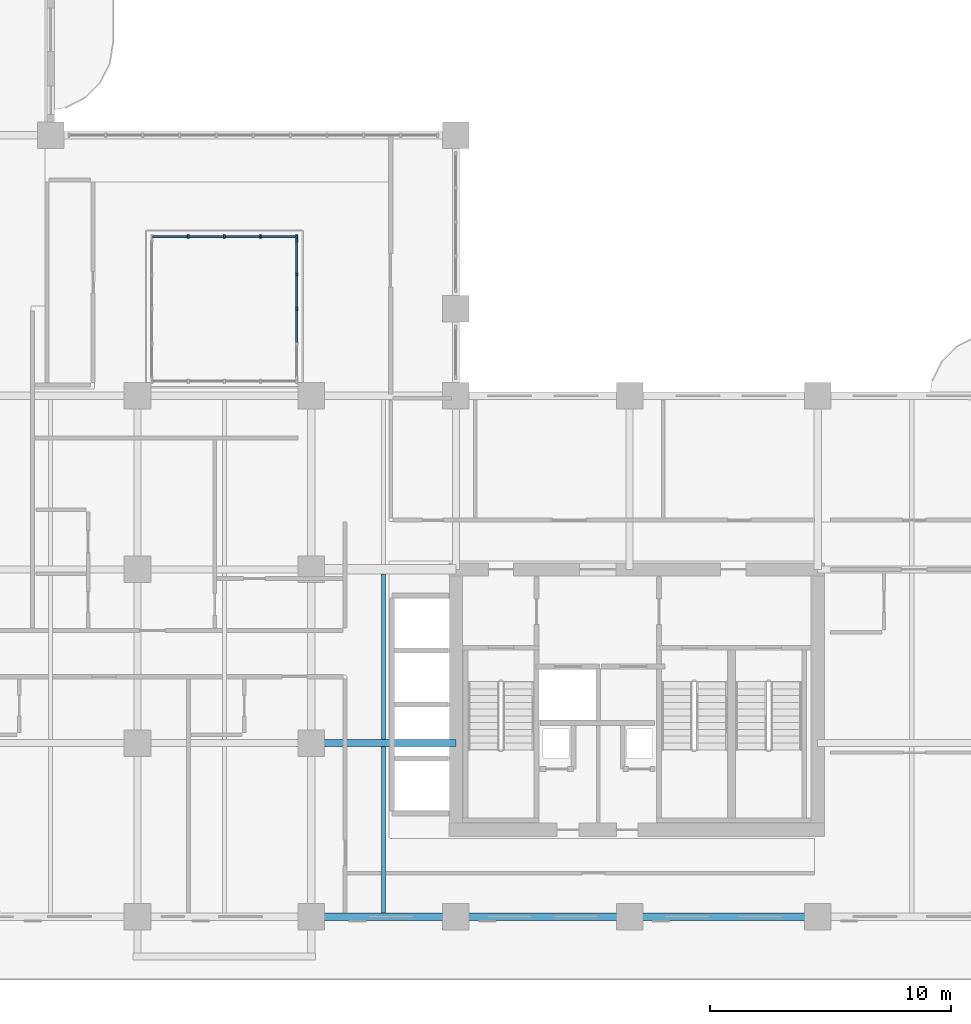
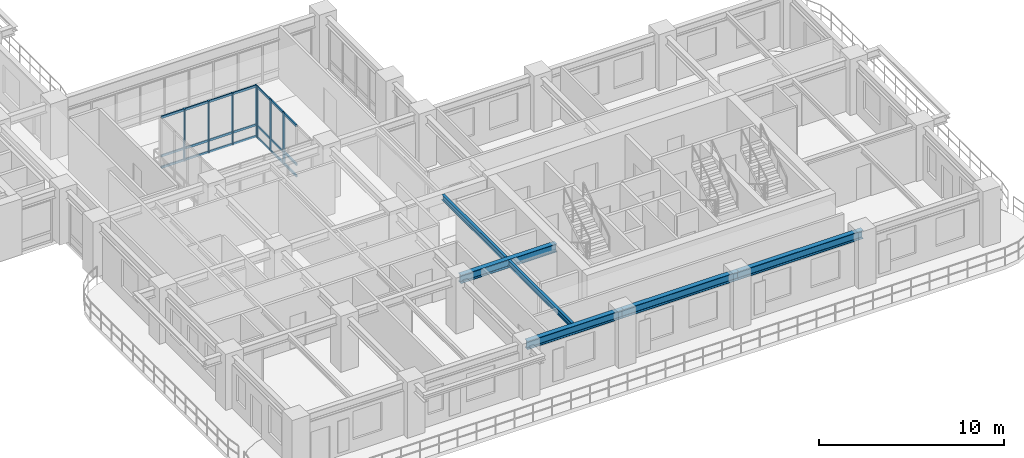
# One storey, part 3 of 22: 28 members, 6 beams, 2 elements without a shape of their own.
"""IFC4 building model written with IfcOpenShell, lengths in metres."""

from ifc_helpers import new_model, si_unit, derived_unit, direction, frame, origin, origin_2d, place, context, subcontext, project, spatial, rectangle, i_section, extrude, source, transform, mapped, material, layer, layer_set, material_profile, profile_set, type_object, type_shapes, element, aggregate, save


model = new_model("IFC4")

# Units and contexts
model_context = context("Model", 3, precision=1e-05, world=origin(), true_north=direction((0.0, 1.0)))
body_context = subcontext(model_context, "Body", "Model", "MODEL_VIEW")
ifc_project = project(units=[si_unit("LENGTHUNIT", "METRE"), si_unit("AREAUNIT", "SQUARE_METRE"), si_unit("VOLUMEUNIT", "CUBIC_METRE"), si_unit("PLANEANGLEUNIT", "RADIAN"), si_unit("MASSUNIT", "GRAM", prefix="KILO"), si_unit("THERMODYNAMICTEMPERATUREUNIT", "KELVIN"), si_unit("POWERUNIT", "WATT"), derived_unit("THERMALTRANSMITTANCEUNIT", [(si_unit("POWERUNIT", "WATT"), 1), (si_unit("AREAUNIT", "SQUARE_METRE"), -1), (si_unit("THERMODYNAMICTEMPERATUREUNIT", "KELVIN"), -1)])], contexts=[model_context])

# Site, building, storey
site_placement = place(None, origin())
site = spatial("IfcSite", under=ifc_project, at=site_placement, CompositionType="ELEMENT")
building_placement = place(site_placement, origin())
building = spatial("IfcBuilding", under=site, at=building_placement, Name="Zahravan Archway Hotel and Residences", CompositionType="ELEMENT")
storey_placement = place(building_placement, frame((0.0, 0.0, 91.60009765625)))
storey = spatial("IfcBuildingStorey", under=building, at=storey_placement, Name="L22", CompositionType="ELEMENT", Elevation=91.60009765625)

# Beams
ifc_material_1 = material(Name="Structural Steel S355JR", Category="steel")
ifc_material_profile_1 = material_profile(ifc_material_1, i_section(OverallWidth=0.300048828125, OverallDepth=0.550048828125, WebThickness=0.014892578125, FlangeThickness=0.029052734375, FilletRadius=0.027099609375, at=origin_2d()), Name="HEB 550", Category="steel")
ifc_profile_set_1 = profile_set([ifc_material_profile_1], Name="Structural Steel S355JR")
beam_type_1 = type_object("IfcBeamType", Name="BM-PRI-HEB550", PredefinedType="BEAM", material=ifc_profile_set_1)
shared_shape_1 = source(origin(), body_context, "Body", "SweptSolid", [
    extrude(i_section(OverallWidth=0.300048828125, OverallDepth=0.550048828125, WebThickness=0.014892578125, FlangeThickness=0.029052734375, FilletRadius=0.027099609375, at=origin_2d()), origin(), (0.0, 0.0, 1.0), 7.199951171875),
])
beam_1_placement = place(storey_placement, frame((34.800048828125, 0.0, 3.1748046875), z_axis=(1.0, 0.0, 0.0), x_axis=(0.0, 1.0, 0.0)))
element("IfcBeam", 1, at=beam_1_placement, inside=storey, type_object=beam_type_1, Name="L22 Primary Girder EW-04", PredefinedType="BEAM", context=body_context, shape_type="MappedRepresentation", body=[
    mapped(shared_shape_1, transform((0.0, 0.0, 0.0), scale=1.0)),
])
shared_shape_2 = source(origin(), body_context, "Body", "SweptSolid", [
    extrude(i_section(OverallWidth=0.300048828125, OverallDepth=0.550048828125, WebThickness=0.014892578125, FlangeThickness=0.029052734375, FilletRadius=0.027099609375, at=origin_2d()), origin(), (0.0, 0.0, 1.0), 6.0),
])
for number, where, z_axis, x_axis, name in (
    (2, (28.800048828125, 0.0, 3.1748046875), (1.0, 0.0, 0.0), (0.0, 1.0, 0.0), "L22 Primary Girder EW-03"),
    (3, (28.800048828125, 7.199951171875, 3.1748046875), (1.0, 0.0, 0.0), (0.0, 1.0, 0.0), "L22 Primary Girder EW-09"),
):
    element("IfcBeam", number, at=place(storey_placement, frame(where, z_axis=z_axis, x_axis=x_axis)), inside=storey, type_object=beam_type_1, Name=name, PredefinedType="BEAM", context=body_context, shape_type="MappedRepresentation", body=[
        mapped(shared_shape_2, transform((0.0, 0.0, 0.0), scale=1.0)),
    ])
shared_shape_3 = source(origin(), body_context, "Body", "SweptSolid", [
    extrude(i_section(OverallWidth=0.300048828125, OverallDepth=0.550048828125, WebThickness=0.014892578125, FlangeThickness=0.029052734375, FilletRadius=0.027099609375, at=origin_2d()), origin(), (0.0, 0.0, 1.0), 7.800048828125),
])
beam_2_placement = place(storey_placement, frame((42.0, 0.0, 3.1748046875), z_axis=(1.0, 0.0, 0.0), x_axis=(0.0, 1.0, 0.0)))
element("IfcBeam", 4, at=beam_2_placement, inside=storey, type_object=beam_type_1, Name="L22 Primary Girder EW-05", PredefinedType="BEAM", context=body_context, shape_type="MappedRepresentation", body=[
    mapped(shared_shape_3, transform((0.0, 0.0, 0.0), scale=1.0)),
])
ifc_material_profile_2 = material_profile(ifc_material_1, i_section(OverallWidth=0.169921875, OverallDepth=0.360107421875, WebThickness=0.008056640625, FlangeThickness=0.0126953125, FilletRadius=0.01806640625, at=origin_2d()), Name="IPE 360", Category="steel")
ifc_profile_set_2 = profile_set([ifc_material_profile_2], Name="Structural Steel S355JR")
beam_type_2 = type_object("IfcBeamType", Name="BM-JST-IPE360", PredefinedType="JOIST", material=ifc_profile_set_2)
shared_shape_4 = source(origin(), body_context, "Body", "SweptSolid", [
    extrude(i_section(OverallWidth=0.169921875, OverallDepth=0.360107421875, WebThickness=0.008056640625, FlangeThickness=0.0126953125, FilletRadius=0.01806640625, at=origin_2d()), origin(), (0.0, 0.0, 1.0), 6.904052734375),
])
type_shapes(beam_type_2, [shared_shape_4])
beam_3_placement = place(storey_placement, frame((31.800048828125, 0.14794921875, 3.27001953125), z_axis=(0.0, 1.0, 0.0), x_axis=(-1.0, 0.0, 0.0)))
element("IfcBeam", 5, at=beam_3_placement, inside=storey, type_object=beam_type_2, Name="L22 Composite Floor Joist 03", PredefinedType="JOIST", context=body_context, shape_type="MappedRepresentation", body=[
    mapped(shared_shape_4, transform((0.0, 0.0, 0.0), scale=1.0)),
])
shared_shape_5 = source(origin(), body_context, "Body", "SweptSolid", [
    extrude(i_section(OverallWidth=0.169921875, OverallDepth=0.360107421875, WebThickness=0.008056640625, FlangeThickness=0.0126953125, FilletRadius=0.01806640625, at=origin_2d()), origin(), (0.0, 0.0, 1.0), 6.85400390625),
])
beam_4_placement = place(storey_placement, frame((31.800048828125, 7.347900390625, 3.27001953125), z_axis=(0.0, 1.0, 0.0), x_axis=(-1.0, 0.0, 0.0)))
element("IfcBeam", 6, at=beam_4_placement, inside=storey, type_object=beam_type_2, Name="L22 Composite Floor Joist 07", PredefinedType="JOIST", context=body_context, shape_type="MappedRepresentation", body=[
    mapped(shared_shape_5, transform((0.0, 0.0, 0.0), scale=1.0)),
])

# Curtain wall, members
ifc_material_2 = material(Name="Bronze-Anodized Unitised Aluminium & Low-E Glass", Category="aluminium")
ifc_layer = layer(ifc_material_2, 0.179931640625, Name="Bronze-Anodized Unitised Aluminium & Low-E Glass", Category="aluminium")
ifc_layer_set = layer_set([ifc_layer], Name="Bronze-Anodized Unitised Aluminium & Low-E Glass")
curtain_wall_type = type_object("IfcCurtainWallType", Name="CW-ATR-GLAZ", PredefinedType="NOTDEFINED", material=ifc_layer_set)
curtain_wall_1_placement = place(storey_placement, origin())
curtain_wall_1 = element("IfcCurtainWall", 7, at=curtain_wall_1_placement, inside=storey, type_object=curtain_wall_type, Name="L22 Curtain Wall CW-ATR-L22-N-1", PredefinedType="NOTDEFINED")
ifc_material_3 = material(Name="Bronze-Anodized Extruded Aluminium", Category="aluminium")
ifc_material_profile_3 = material_profile(ifc_material_3, rectangle(XDim=0.080078125, YDim=0.159912109375, at=origin_2d()), Name="MUL 80x160", Category="aluminium")
ifc_profile_set_3 = profile_set([ifc_material_profile_3], Name="Bronze-Anodized Extruded Aluminium")
member_type_1 = type_object("IfcMemberType", Name="CWM-MUL-160", PredefinedType="MULLION", material=ifc_profile_set_3)
shared_shape_6 = source(origin(), body_context, "Body", "SweptSolid", [
    extrude(rectangle(XDim=0.080078125, YDim=0.159912109375, at=origin_2d()), origin(), (0.0, 0.0, 1.0), 3.449951171875),
])
member_1_placement = place(storey_placement, frame((23.699951171875, 28.199951171875, 0.0), z_axis=(0.0, 0.0, 1.0), x_axis=(1.0, 0.0, 0.0)))
member_1 = element("IfcMember", 8, at=member_1_placement, type_object=member_type_1, Name="CW-ATR-L22-N-1 Mullion 1", PredefinedType="MULLION", context=body_context, shape_type="MappedRepresentation", body=[
    mapped(shared_shape_6, transform((0.0, 0.0, 0.0), scale=1.0)),
])
member_2_placement = place(storey_placement, frame((25.199951171875, 28.199951171875, 0.0), z_axis=(0.0, 0.0, 1.0), x_axis=(1.0, 0.0, 0.0)))
member_2 = element("IfcMember", 9, at=member_2_placement, type_object=member_type_1, Name="CW-ATR-L22-N-1 Mullion 2", PredefinedType="MULLION", context=body_context, shape_type="MappedRepresentation", body=[
    mapped(shared_shape_6, transform((0.0, 0.0, 0.0), scale=1.0)),
])
member_3_placement = place(storey_placement, frame((26.699951171875, 28.199951171875, 0.0), z_axis=(0.0, 0.0, 1.0), x_axis=(1.0, 0.0, 0.0)))
member_3 = element("IfcMember", 10, at=member_3_placement, type_object=member_type_1, Name="CW-ATR-L22-N-1 Mullion 3", PredefinedType="MULLION", context=body_context, shape_type="MappedRepresentation", body=[
    mapped(shared_shape_6, transform((0.0, 0.0, 0.0), scale=1.0)),
])
member_4_placement = place(storey_placement, frame((28.199951171875, 28.199951171875, 0.0), z_axis=(0.0, 0.0, 1.0), x_axis=(1.0, 0.0, 0.0)))
member_4 = element("IfcMember", 11, at=member_4_placement, type_object=member_type_1, Name="CW-ATR-L22-N-1 Mullion 4", PredefinedType="MULLION", context=body_context, shape_type="MappedRepresentation", body=[
    mapped(shared_shape_6, transform((0.0, 0.0, 0.0), scale=1.0)),
])

curtain_wall_2_placement = place(storey_placement, origin())
curtain_wall_2 = element("IfcCurtainWall", 12, at=curtain_wall_2_placement, inside=storey, type_object=curtain_wall_type, Name="L22 Curtain Wall CW-ATR-L22-E-1", PredefinedType="NOTDEFINED")
member_5_placement = place(storey_placement, frame((28.199951171875, 25.199951171875, 0.0), z_axis=(0.0, 0.0, 1.0), x_axis=(1.0, 0.0, 0.0)))
member_5 = element("IfcMember", 13, at=member_5_placement, type_object=member_type_1, Name="CW-ATR-L22-E-1 Mullion 2", PredefinedType="MULLION", context=body_context, shape_type="MappedRepresentation", body=[
    mapped(shared_shape_6, transform((0.0, 0.0, 0.0), scale=1.0)),
])
member_6_placement = place(storey_placement, frame((28.199951171875, 26.625, 0.0), z_axis=(0.0, 0.0, 1.0), x_axis=(1.0, 0.0, 0.0)))
member_6 = element("IfcMember", 14, at=member_6_placement, type_object=member_type_1, Name="CW-ATR-L22-E-1 Mullion 3", PredefinedType="MULLION", context=body_context, shape_type="MappedRepresentation", body=[
    mapped(shared_shape_6, transform((0.0, 0.0, 0.0), scale=1.0)),
])
member_7_placement = place(storey_placement, frame((28.199951171875, 28.050048828125, 0.0), z_axis=(0.0, 0.0, 1.0), x_axis=(1.0, 0.0, 0.0)))
member_7 = element("IfcMember", 15, at=member_7_placement, type_object=member_type_1, Name="CW-ATR-L22-E-1 Mullion 4", PredefinedType="MULLION", context=body_context, shape_type="MappedRepresentation", body=[
    mapped(shared_shape_6, transform((0.0, 0.0, 0.0), scale=1.0)),
])

# Member
ifc_material_profile_4 = material_profile(ifc_material_3, rectangle(XDim=0.080078125, YDim=0.139892578125, at=origin_2d()), Name="TRN 80x140", Category="aluminium")
ifc_profile_set_4 = profile_set([ifc_material_profile_4], Name="Bronze-Anodized Extruded Aluminium")
member_type_2 = type_object("IfcMemberType", Name="CWM-TRN-140", PredefinedType="USERDEFINED", material=ifc_profile_set_4)
shared_shape_7 = source(origin(), body_context, "Body", "SweptSolid", [
    extrude(rectangle(XDim=0.080078125, YDim=0.139892578125, at=origin_2d()), origin(), (0.0, 0.0, 1.0), 1.419921875),
])
member_8_placement = place(storey_placement, frame((22.239990234375, 28.199951171875, 0.06982421875), z_axis=(1.0, 0.0, 0.0), x_axis=(0.0, 1.0, 0.0)))
member_8 = element("IfcMember", 16, at=member_8_placement, type_object=member_type_2, Name="CW-ATR-L22-N-1 Transom 0-1", ObjectType="TRANSOM", PredefinedType="USERDEFINED", context=body_context, shape_type="MappedRepresentation", body=[
    mapped(shared_shape_7, transform((0.0, 0.0, 0.0), scale=1.0)),
])

member_9_placement = place(storey_placement, frame((22.239990234375, 28.199951171875, 0.827880859375), z_axis=(1.0, 0.0, 0.0), x_axis=(0.0, 1.0, 0.0)))
member_9 = element("IfcMember", 17, at=member_9_placement, type_object=member_type_2, Name="CW-ATR-L22-N-1 Transom 0-2", ObjectType="TRANSOM", PredefinedType="USERDEFINED", context=body_context, shape_type="MappedRepresentation", body=[
    mapped(shared_shape_7, transform((0.0, 0.0, 0.0), scale=1.0)),
])

member_10_placement = place(storey_placement, frame((22.239990234375, 28.199951171875, 3.3798828125), z_axis=(1.0, 0.0, 0.0), x_axis=(0.0, 1.0, 0.0)))
member_10 = element("IfcMember", 18, at=member_10_placement, type_object=member_type_2, Name="CW-ATR-L22-N-1 Transom 0-3", ObjectType="TRANSOM", PredefinedType="USERDEFINED", context=body_context, shape_type="MappedRepresentation", body=[
    mapped(shared_shape_7, transform((0.0, 0.0, 0.0), scale=1.0)),
])

member_11_placement = place(storey_placement, frame((23.739990234375, 28.199951171875, 0.06982421875), z_axis=(1.0, 0.0, 0.0), x_axis=(0.0, 1.0, 0.0)))
member_11 = element("IfcMember", 19, at=member_11_placement, type_object=member_type_2, Name="CW-ATR-L22-N-1 Transom 1-1", ObjectType="TRANSOM", PredefinedType="USERDEFINED", context=body_context, shape_type="MappedRepresentation", body=[
    mapped(shared_shape_7, transform((0.0, 0.0, 0.0), scale=1.0)),
])

member_12_placement = place(storey_placement, frame((23.739990234375, 28.199951171875, 0.827880859375), z_axis=(1.0, 0.0, 0.0), x_axis=(0.0, 1.0, 0.0)))
member_12 = element("IfcMember", 20, at=member_12_placement, type_object=member_type_2, Name="CW-ATR-L22-N-1 Transom 1-2", ObjectType="TRANSOM", PredefinedType="USERDEFINED", context=body_context, shape_type="MappedRepresentation", body=[
    mapped(shared_shape_7, transform((0.0, 0.0, 0.0), scale=1.0)),
])

member_13_placement = place(storey_placement, frame((23.739990234375, 28.199951171875, 3.3798828125), z_axis=(1.0, 0.0, 0.0), x_axis=(0.0, 1.0, 0.0)))
member_13 = element("IfcMember", 21, at=member_13_placement, type_object=member_type_2, Name="CW-ATR-L22-N-1 Transom 1-3", ObjectType="TRANSOM", PredefinedType="USERDEFINED", context=body_context, shape_type="MappedRepresentation", body=[
    mapped(shared_shape_7, transform((0.0, 0.0, 0.0), scale=1.0)),
])

member_14_placement = place(storey_placement, frame((25.239990234375, 28.199951171875, 0.06982421875), z_axis=(1.0, 0.0, 0.0), x_axis=(0.0, 1.0, 0.0)))
member_14 = element("IfcMember", 22, at=member_14_placement, type_object=member_type_2, Name="CW-ATR-L22-N-1 Transom 2-1", ObjectType="TRANSOM", PredefinedType="USERDEFINED", context=body_context, shape_type="MappedRepresentation", body=[
    mapped(shared_shape_7, transform((0.0, 0.0, 0.0), scale=1.0)),
])

member_15_placement = place(storey_placement, frame((25.239990234375, 28.199951171875, 0.827880859375), z_axis=(1.0, 0.0, 0.0), x_axis=(0.0, 1.0, 0.0)))
member_15 = element("IfcMember", 23, at=member_15_placement, type_object=member_type_2, Name="CW-ATR-L22-N-1 Transom 2-2", ObjectType="TRANSOM", PredefinedType="USERDEFINED", context=body_context, shape_type="MappedRepresentation", body=[
    mapped(shared_shape_7, transform((0.0, 0.0, 0.0), scale=1.0)),
])

member_16_placement = place(storey_placement, frame((25.239990234375, 28.199951171875, 3.3798828125), z_axis=(1.0, 0.0, 0.0), x_axis=(0.0, 1.0, 0.0)))
member_16 = element("IfcMember", 24, at=member_16_placement, type_object=member_type_2, Name="CW-ATR-L22-N-1 Transom 2-3", ObjectType="TRANSOM", PredefinedType="USERDEFINED", context=body_context, shape_type="MappedRepresentation", body=[
    mapped(shared_shape_7, transform((0.0, 0.0, 0.0), scale=1.0)),
])

member_17_placement = place(storey_placement, frame((26.739990234375, 28.199951171875, 0.06982421875), z_axis=(1.0, 0.0, 0.0), x_axis=(0.0, 1.0, 0.0)))
member_17 = element("IfcMember", 25, at=member_17_placement, type_object=member_type_2, Name="CW-ATR-L22-N-1 Transom 3-1", ObjectType="TRANSOM", PredefinedType="USERDEFINED", context=body_context, shape_type="MappedRepresentation", body=[
    mapped(shared_shape_7, transform((0.0, 0.0, 0.0), scale=1.0)),
])

member_18_placement = place(storey_placement, frame((26.739990234375, 28.199951171875, 0.827880859375), z_axis=(1.0, 0.0, 0.0), x_axis=(0.0, 1.0, 0.0)))
member_18 = element("IfcMember", 26, at=member_18_placement, type_object=member_type_2, Name="CW-ATR-L22-N-1 Transom 3-2", ObjectType="TRANSOM", PredefinedType="USERDEFINED", context=body_context, shape_type="MappedRepresentation", body=[
    mapped(shared_shape_7, transform((0.0, 0.0, 0.0), scale=1.0)),
])

member_19_placement = place(storey_placement, frame((26.739990234375, 28.199951171875, 3.3798828125), z_axis=(1.0, 0.0, 0.0), x_axis=(0.0, 1.0, 0.0)))
member_19 = element("IfcMember", 27, at=member_19_placement, type_object=member_type_2, Name="CW-ATR-L22-N-1 Transom 3-3", ObjectType="TRANSOM", PredefinedType="USERDEFINED", context=body_context, shape_type="MappedRepresentation", body=[
    mapped(shared_shape_7, transform((0.0, 0.0, 0.0), scale=1.0)),
])

aggregate(curtain_wall_1, [member_1, member_2, member_3, member_4, member_8, member_9, member_10, member_11, member_12, member_13, member_14, member_15, member_16, member_17, member_18, member_19])

shared_shape_8 = source(origin(), body_context, "Body", "SweptSolid", [
    extrude(rectangle(XDim=0.080078125, YDim=0.139892578125, at=origin_2d()), origin(), (0.0, 0.0, 1.0), 1.344970703125),
])
member_20_placement = place(storey_placement, frame((28.199951171875, 23.81494140625, 0.06982421875), z_axis=(0.0, 1.0, 0.0), x_axis=(-1.0, 0.0, 0.0)))
member_20 = element("IfcMember", 28, at=member_20_placement, type_object=member_type_2, Name="CW-ATR-L22-E-1 Transom 1-1", ObjectType="TRANSOM", PredefinedType="USERDEFINED", context=body_context, shape_type="MappedRepresentation", body=[
    mapped(shared_shape_8, transform((0.0, 0.0, 0.0), scale=1.0)),
])

member_21_placement = place(storey_placement, frame((28.199951171875, 23.81494140625, 0.827880859375), z_axis=(0.0, 1.0, 0.0), x_axis=(-1.0, 0.0, 0.0)))
member_21 = element("IfcMember", 29, at=member_21_placement, type_object=member_type_2, Name="CW-ATR-L22-E-1 Transom 1-2", ObjectType="TRANSOM", PredefinedType="USERDEFINED", context=body_context, shape_type="MappedRepresentation", body=[
    mapped(shared_shape_8, transform((0.0, 0.0, 0.0), scale=1.0)),
])

member_22_placement = place(storey_placement, frame((28.199951171875, 23.81494140625, 3.3798828125), z_axis=(0.0, 1.0, 0.0), x_axis=(-1.0, 0.0, 0.0)))
member_22 = element("IfcMember", 30, at=member_22_placement, type_object=member_type_2, Name="CW-ATR-L22-E-1 Transom 1-3", ObjectType="TRANSOM", PredefinedType="USERDEFINED", context=body_context, shape_type="MappedRepresentation", body=[
    mapped(shared_shape_8, transform((0.0, 0.0, 0.0), scale=1.0)),
])

member_23_placement = place(storey_placement, frame((28.199951171875, 25.239990234375, 0.06982421875), z_axis=(0.0, 1.0, 0.0), x_axis=(-1.0, 0.0, 0.0)))
member_23 = element("IfcMember", 31, at=member_23_placement, type_object=member_type_2, Name="CW-ATR-L22-E-1 Transom 2-1", ObjectType="TRANSOM", PredefinedType="USERDEFINED", context=body_context, shape_type="MappedRepresentation", body=[
    mapped(shared_shape_8, transform((0.0, 0.0, 0.0), scale=1.0)),
])

member_24_placement = place(storey_placement, frame((28.199951171875, 25.239990234375, 0.827880859375), z_axis=(0.0, 1.0, 0.0), x_axis=(-1.0, 0.0, 0.0)))
member_24 = element("IfcMember", 32, at=member_24_placement, type_object=member_type_2, Name="CW-ATR-L22-E-1 Transom 2-2", ObjectType="TRANSOM", PredefinedType="USERDEFINED", context=body_context, shape_type="MappedRepresentation", body=[
    mapped(shared_shape_8, transform((0.0, 0.0, 0.0), scale=1.0)),
])

member_25_placement = place(storey_placement, frame((28.199951171875, 25.239990234375, 3.3798828125), z_axis=(0.0, 1.0, 0.0), x_axis=(-1.0, 0.0, 0.0)))
member_25 = element("IfcMember", 33, at=member_25_placement, type_object=member_type_2, Name="CW-ATR-L22-E-1 Transom 2-3", ObjectType="TRANSOM", PredefinedType="USERDEFINED", context=body_context, shape_type="MappedRepresentation", body=[
    mapped(shared_shape_8, transform((0.0, 0.0, 0.0), scale=1.0)),
])

member_26_placement = place(storey_placement, frame((28.199951171875, 26.6650390625, 0.06982421875), z_axis=(0.0, 1.0, 0.0), x_axis=(-1.0, 0.0, 0.0)))
member_26 = element("IfcMember", 34, at=member_26_placement, type_object=member_type_2, Name="CW-ATR-L22-E-1 Transom 3-1", ObjectType="TRANSOM", PredefinedType="USERDEFINED", context=body_context, shape_type="MappedRepresentation", body=[
    mapped(shared_shape_8, transform((0.0, 0.0, 0.0), scale=1.0)),
])

member_27_placement = place(storey_placement, frame((28.199951171875, 26.6650390625, 0.827880859375), z_axis=(0.0, 1.0, 0.0), x_axis=(-1.0, 0.0, 0.0)))
member_27 = element("IfcMember", 35, at=member_27_placement, type_object=member_type_2, Name="CW-ATR-L22-E-1 Transom 3-2", ObjectType="TRANSOM", PredefinedType="USERDEFINED", context=body_context, shape_type="MappedRepresentation", body=[
    mapped(shared_shape_8, transform((0.0, 0.0, 0.0), scale=1.0)),
])

member_28_placement = place(storey_placement, frame((28.199951171875, 26.6650390625, 3.3798828125), z_axis=(0.0, 1.0, 0.0), x_axis=(-1.0, 0.0, 0.0)))
member_28 = element("IfcMember", 36, at=member_28_placement, type_object=member_type_2, Name="CW-ATR-L22-E-1 Transom 3-3", ObjectType="TRANSOM", PredefinedType="USERDEFINED", context=body_context, shape_type="MappedRepresentation", body=[
    mapped(shared_shape_8, transform((0.0, 0.0, 0.0), scale=1.0)),
])

aggregate(curtain_wall_2, [member_5, member_6, member_7, member_20, member_21, member_22, member_23, member_24, member_25, member_26, member_27, member_28])

save(model, "model.ifc")
